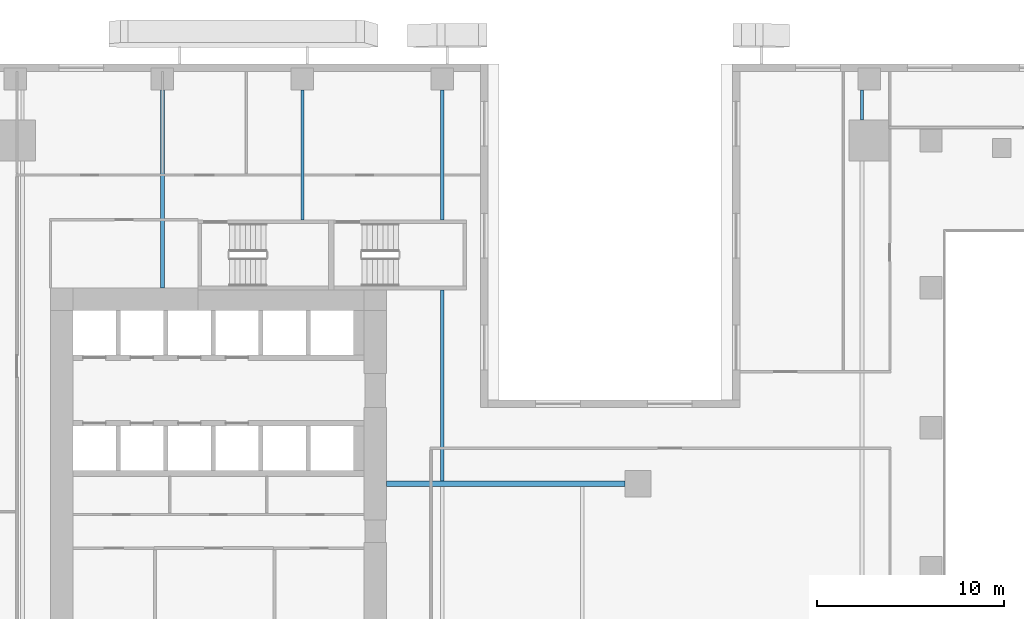
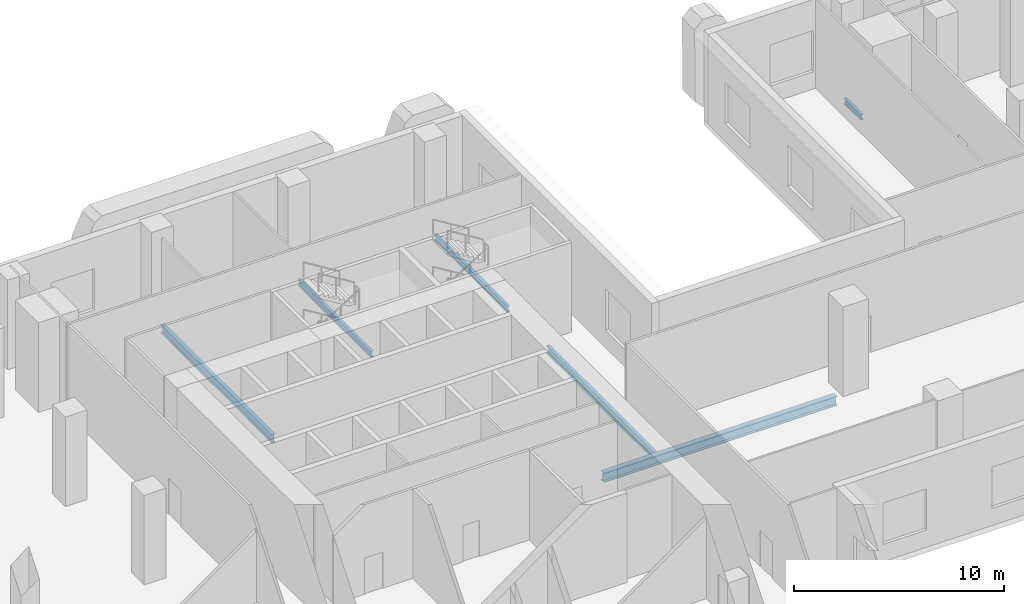
# One storey, part 5 of 23: 6 beams.
"""IFC4 building model written with IfcOpenShell, lengths in metres."""

from ifc_helpers import new_model, si_unit, direction, frame, origin, origin_2d, place, context, subcontext, project, spatial, i_section, extrude, source, transform, mapped, material, material_profile, profile_set, type_object, element, save


model = new_model("IFC4")

# Units and contexts
model_context = context("Model", 3, precision=1e-05, world=origin(), true_north=direction((0.0, 1.0)))
body_context = subcontext(model_context, "Body", "Model", "MODEL_VIEW")
ifc_project = project(units=[si_unit("LENGTHUNIT", "METRE"), si_unit("AREAUNIT", "SQUARE_METRE"), si_unit("VOLUMEUNIT", "CUBIC_METRE"), si_unit("PLANEANGLEUNIT", "RADIAN"), si_unit("MASSUNIT", "GRAM", prefix="KILO")], contexts=[model_context])

# Site, building, storey
site_placement = place(None, origin())
site = spatial("IfcSite", under=ifc_project, at=site_placement, CompositionType="ELEMENT")
building_placement = place(site_placement, origin())
building = spatial("IfcBuilding", under=site, at=building_placement, Name="Khomas Fold Tower", CompositionType="ELEMENT")
storey_placement = place(building_placement, frame((0.0, 0.0, 7.5)))
storey = spatial("IfcBuildingStorey", under=building, at=storey_placement, Name="L01", CompositionType="ELEMENT", Elevation=7.5)

# Beams
ifc_material_1 = material(Name="Steel S355", Category="steel")
ifc_material_profile_1 = material_profile(ifc_material_1, i_section(OverallWidth=0.300048828125, OverallDepth=0.550048828125, WebThickness=0.014892578125, FlangeThickness=0.029052734375, at=origin_2d()), Name="HE 550 B")
ifc_profile_set_1 = profile_set([ifc_material_profile_1], Name="Steel S355")
beam_type_1 = type_object("IfcBeamType", Name="HE 550 B beam GB4", PredefinedType="BEAM", material=ifc_profile_set_1)
shared_shape_1 = source(origin(), body_context, "Body", "SweptSolid", [
    extrude(i_section(OverallWidth=0.300048828125, OverallDepth=0.550048828125, WebThickness=0.014892578125, FlangeThickness=0.029052734375, at=origin_2d()), origin(), (0.0, 0.0, 1.0), 12.800048828125),
])
beam_1_placement = place(storey_placement, frame((24.0, 31.5, -0.574951171875), z_axis=(1.0, 0.0, 0.0), x_axis=(0.0, 1.0, 0.0)))
element("IfcBeam", 1, at=beam_1_placement, inside=storey, type_object=beam_type_1, Name="GB4", PredefinedType="BEAM", context=body_context, shape_type="MappedRepresentation", body=[
    mapped(shared_shape_1, transform((0.0, 0.0, 0.0))),
])
ifc_material_2 = material(Name="Steel S355", Category="steel")
ifc_material_profile_2 = material_profile(ifc_material_2, i_section(OverallWidth=0.159912109375, OverallDepth=0.330078125, WebThickness=0.007568359375, FlangeThickness=0.011474609375, at=origin_2d()), Name="IPE 330")
ifc_profile_set_2 = profile_set([ifc_material_profile_2], Name="Steel S355")
beam_type_2 = type_object("IfcBeamType", Name="IPE 330 beam JB1", PredefinedType="BEAM", material=ifc_profile_set_2)
shared_shape_2 = source(origin(), body_context, "Body", "SweptSolid", [
    extrude(i_section(OverallWidth=0.159912109375, OverallDepth=0.330078125, WebThickness=0.007568359375, FlangeThickness=0.011474609375, at=origin_2d()), origin(), (0.0, 0.0, 1.0), 1.60009765625),
])
beam_2_placement = place(storey_placement, frame((49.5, 51.0, -0.465087890625), z_axis=(0.0, 1.0, 0.0), x_axis=(-1.0, 0.0, 0.0)))
element("IfcBeam", 2, at=beam_2_placement, inside=storey, type_object=beam_type_2, Name="JB1", PredefinedType="BEAM", context=body_context, shape_type="MappedRepresentation", body=[
    mapped(shared_shape_2, transform((0.0, 0.0, 0.0))),
])
ifc_material_3 = material(Name="Steel S355", Category="steel")
ifc_material_profile_3 = material_profile(ifc_material_3, i_section(OverallWidth=0.199951171875, OverallDepth=0.5, WebThickness=0.01025390625, FlangeThickness=0.01611328125, at=origin_2d()), Name="IPE 500")
ifc_profile_set_3 = profile_set([ifc_material_profile_3], Name="Steel S355")
beam_type_3 = type_object("IfcBeamType", Name="IPE 500 beam JB5", PredefinedType="BEAM", material=ifc_profile_set_3)
shared_shape_3 = source(origin(), body_context, "Body", "SweptSolid", [
    extrude(i_section(OverallWidth=0.199951171875, OverallDepth=0.5, WebThickness=0.01025390625, FlangeThickness=0.01611328125, at=origin_2d()), origin(), (0.0, 0.0, 1.0), 10.60009765625),
])
beam_3_placement = place(storey_placement, frame((12.0, 42.0, -0.550048828125), z_axis=(0.0, 1.0, 0.0), x_axis=(-1.0, 0.0, 0.0)))
element("IfcBeam", 3, at=beam_3_placement, inside=storey, type_object=beam_type_3, Name="JB5", PredefinedType="BEAM", context=body_context, shape_type="MappedRepresentation", body=[
    mapped(shared_shape_3, transform((0.0, 0.0, 0.0))),
])
ifc_material_4 = material(Name="Steel S355", Category="steel")
ifc_material_profile_4 = material_profile(ifc_material_4, i_section(OverallWidth=0.169921875, OverallDepth=0.360107421875, WebThickness=0.008056640625, FlangeThickness=0.0126953125, at=origin_2d()), Name="IPE 360")
ifc_profile_set_4 = profile_set([ifc_material_profile_4], Name="Steel S355")
beam_type_4 = type_object("IfcBeamType", Name="IPE 360 beam JB2", PredefinedType="BEAM", material=ifc_profile_set_4)
shared_shape_4 = source(origin(), body_context, "Body", "SweptSolid", [
    extrude(i_section(OverallWidth=0.169921875, OverallDepth=0.360107421875, WebThickness=0.008056640625, FlangeThickness=0.0126953125, at=origin_2d()), origin(), (0.0, 0.0, 1.0), 6.9501953125),
])
for number, where, z_axis, x_axis, name in (
    (4, (19.5, 45.64990234375, -0.47998046875), (0.0, 1.0, 0.0), (-1.0, 0.0, 0.0), "JB2"),
    (5, (27.0, 45.64990234375, -0.47998046875), (0.0, 1.0, 0.0), (-1.0, 0.0, 0.0), "JB2"),
):
    element("IfcBeam", number, at=place(storey_placement, frame(where, z_axis=z_axis, x_axis=x_axis)), inside=storey, type_object=beam_type_4, Name=name, PredefinedType="BEAM", context=body_context, shape_type="MappedRepresentation", body=[
        mapped(shared_shape_4, transform((0.0, 0.0, 0.0))),
    ])
ifc_material_5 = material(Name="Steel S355", Category="steel")
ifc_material_profile_5 = material_profile(ifc_material_5, i_section(OverallWidth=0.18994140625, OverallDepth=0.449951171875, WebThickness=0.009521484375, FlangeThickness=0.0146484375, at=origin_2d()), Name="IPE 450")
ifc_profile_set_5 = profile_set([ifc_material_profile_5], Name="Steel S355")
beam_type_5 = type_object("IfcBeamType", Name="IPE 450 beam JB4", PredefinedType="BEAM", material=ifc_profile_set_5)
shared_shape_5 = source(origin(), body_context, "Body", "SweptSolid", [
    extrude(i_section(OverallWidth=0.18994140625, OverallDepth=0.449951171875, WebThickness=0.009521484375, FlangeThickness=0.0146484375, at=origin_2d()), origin(), (0.0, 0.0, 1.0), 10.25),
])
beam_4_placement = place(storey_placement, frame((27.0, 31.64990234375, -0.52490234375), z_axis=(0.0, 1.0, 0.0), x_axis=(-1.0, 0.0, 0.0)))
element("IfcBeam", 6, at=beam_4_placement, inside=storey, type_object=beam_type_5, Name="JB4", PredefinedType="BEAM", context=body_context, shape_type="MappedRepresentation", body=[
    mapped(shared_shape_5, transform((0.0, 0.0, 0.0))),
])

save(model, "model.ifc")
